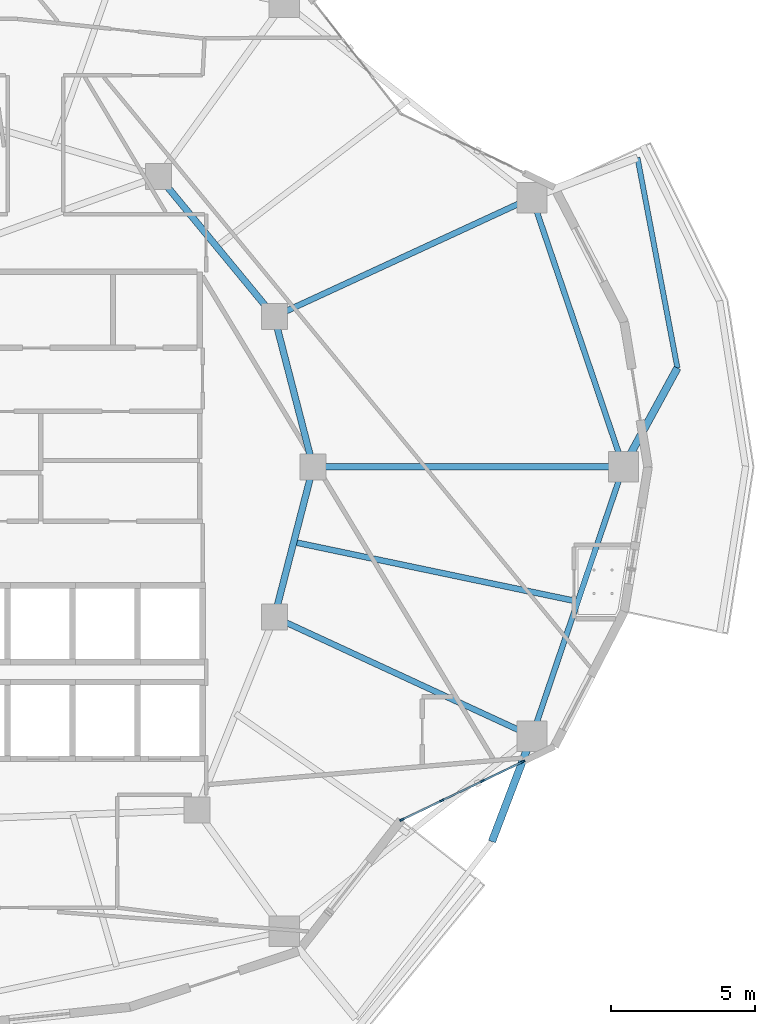
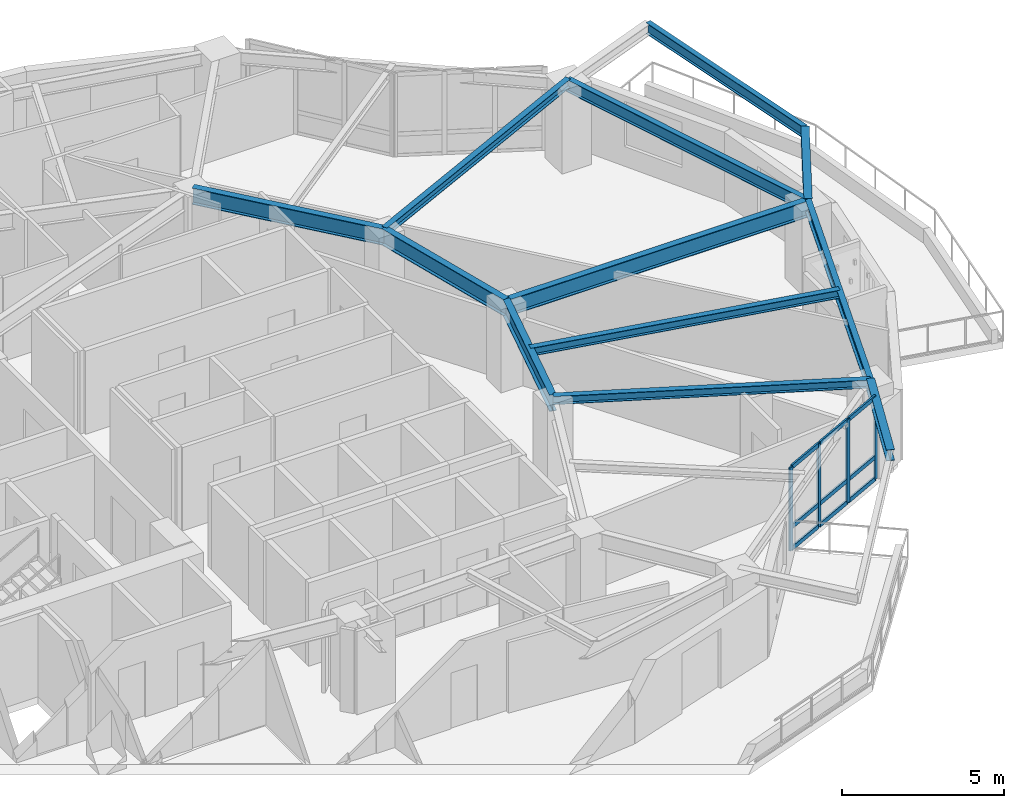
# One storey, part 2 of 18: 13 members, 12 beams, 1 element without a shape of its own.
"""IFC4 building model written with IfcOpenShell, lengths in metres."""

from ifc_helpers import new_model, si_unit, direction, frame, origin, origin_2d, place, context, subcontext, project, spatial, rectangle, i_section, extrude, material, layer, layer_set, material_profile, profile_set, type_object, element, aggregate, save


model = new_model("IFC4")

# Units and contexts
model_context = context("Model", 3, precision=1e-05, world=origin(), true_north=direction((0.0, 1.0)))
body_context = subcontext(model_context, "Body", "Model", "MODEL_VIEW")
ifc_project = project(units=[si_unit("LENGTHUNIT", "METRE"), si_unit("AREAUNIT", "SQUARE_METRE"), si_unit("VOLUMEUNIT", "CUBIC_METRE"), si_unit("PLANEANGLEUNIT", "RADIAN"), si_unit("MASSUNIT", "GRAM", prefix="KILO")], contexts=[model_context])

# Site, building, storey
site_placement = place(None, origin())
site = spatial("IfcSite", under=ifc_project, at=site_placement, CompositionType="ELEMENT")
building_placement = place(site_placement, origin())
building = spatial("IfcBuilding", under=site, at=building_placement, Name="Kolvaren Gate Tower and Convention Centre", CompositionType="ELEMENT")
storey_placement = place(building_placement, frame((0.0, 0.0, 135.89990234375)))
storey = spatial("IfcBuildingStorey", under=building, at=storey_placement, Name="L34", CompositionType="ELEMENT", Elevation=135.89990234375)

# Curtain wall, members
ifc_material_1 = material(Name="Anodized Architectural Aluminium Alloy 6063-T6", Category="aluminium")
ifc_layer = layer(ifc_material_1, 0.159912109375)
ifc_layer_set = layer_set([ifc_layer], Name="Anodized Architectural Aluminium Alloy 6063-T6")
curtain_wall_type = type_object("IfcCurtainWallType", Name="CW-HTL-UNIT", PredefinedType="NOTDEFINED", material=ifc_layer_set)
curtain_wall_placement = place(storey_placement, origin())
curtain_wall = element("IfcCurtainWall", 1, at=curtain_wall_placement, inside=storey, type_object=curtain_wall_type, Name="Tower L34 Unitised Curtain Wall CW-HTL-UNIT Bay 21", PredefinedType="NOTDEFINED")
ifc_material_profile_1 = material_profile(ifc_material_1, rectangle(XDim=0.06494140625, YDim=0.159912109375, at=origin_2d()), Name="CW-MEM-MUL-160")
ifc_profile_set_1 = profile_set([ifc_material_profile_1], Name="Anodized Architectural Aluminium Alloy 6063-T6")
member_type_1 = type_object("IfcMemberType", Name="CW-MEM-MUL-160", PredefinedType="MULLION", material=ifc_profile_set_1)
member_1_placement = place(storey_placement, frame((45.798095703125, 14.791015625, 0.0), z_axis=(0.0, 0.0, 1.0), x_axis=(-0.433070515205, 0.901360043967, 0.0)))
member_1 = element("IfcMember", 2, at=member_1_placement, type_object=member_type_1, Name="CW-03 mullion 1", PredefinedType="MULLION", context=body_context, shape_type="SweptSolid", body=[
    extrude(rectangle(XDim=0.06494140625, YDim=0.159912109375, at=origin_2d()), origin(), (0.0, 0.0, 1.0), 3.130126953125),
])
member_2_placement = place(storey_placement, frame((47.181396484375, 15.455810546875, 0.0), z_axis=(0.0, 0.0, 1.0), x_axis=(-0.433070515205, 0.901360043967, 0.0)))
member_2 = element("IfcMember", 3, at=member_2_placement, type_object=member_type_1, Name="CW-03 mullion 2", PredefinedType="MULLION", context=body_context, shape_type="SweptSolid", body=[
    extrude(rectangle(XDim=0.06494140625, YDim=0.159912109375, at=origin_2d()), origin(), (0.0, 0.0, 1.0), 3.130126953125),
])
member_3_placement = place(storey_placement, frame((48.59423828125, 16.134521484375, 0.0), z_axis=(0.0, 0.0, 1.0), x_axis=(-0.433070515205, 0.901360043967, 0.0)))
member_3 = element("IfcMember", 4, at=member_3_placement, type_object=member_type_1, Name="CW-03 mullion 3", PredefinedType="MULLION", context=body_context, shape_type="SweptSolid", body=[
    extrude(rectangle(XDim=0.06494140625, YDim=0.159912109375, at=origin_2d()), origin(), (0.0, 0.0, 1.0), 3.130126953125),
])
member_4_placement = place(storey_placement, frame((49.9775390625, 16.79931640625, 0.0), z_axis=(0.0, 0.0, 1.0), x_axis=(-0.433070515205, 0.901360043967, 0.0)))
member_4 = element("IfcMember", 5, at=member_4_placement, type_object=member_type_1, Name="CW-03 mullion 4", PredefinedType="MULLION", context=body_context, shape_type="SweptSolid", body=[
    extrude(rectangle(XDim=0.06494140625, YDim=0.159912109375, at=origin_2d()), origin(), (0.0, 0.0, 1.0), 3.130126953125),
])
ifc_material_profile_2 = material_profile(ifc_material_1, rectangle(XDim=0.06494140625, YDim=0.159912109375, at=origin_2d()), Name="CW-MEM-TRN-160")
ifc_profile_set_2 = profile_set([ifc_material_profile_2], Name="Anodized Architectural Aluminium Alloy 6063-T6")
member_type_2 = type_object("IfcMemberType", Name="CW-MEM-TRN-160", PredefinedType="USERDEFINED", material=ifc_profile_set_2)
member_5_placement = place(storey_placement, frame((45.827392578125, 14.80517578125, 0.03271484375), z_axis=(0.901359682886, 0.433071266731, 0.0), x_axis=(-0.433071266731, 0.901359682886, 0.0)))
member_5 = element("IfcMember", 6, at=member_5_placement, type_object=member_type_2, Name="CW-03 transom 1.1", ObjectType="TRANSOM", PredefinedType="USERDEFINED", context=body_context, shape_type="SweptSolid", body=[
    extrude(rectangle(XDim=0.06494140625, YDim=0.159912109375, at=origin_2d()), origin(), (0.0, 0.0, 1.0), 1.4697265625),
])
member_6_placement = place(storey_placement, frame((45.827392578125, 14.80517578125, 0.85009765625), z_axis=(0.901359682886, 0.433071266731, 0.0), x_axis=(-0.433071266731, 0.901359682886, 0.0)))
member_6 = element("IfcMember", 7, at=member_6_placement, type_object=member_type_2, Name="CW-03 transom 1.2", ObjectType="TRANSOM", PredefinedType="USERDEFINED", context=body_context, shape_type="SweptSolid", body=[
    extrude(rectangle(XDim=0.06494140625, YDim=0.159912109375, at=origin_2d()), origin(), (0.0, 0.0, 1.0), 1.4697265625),
])
member_7_placement = place(storey_placement, frame((45.827392578125, 14.80517578125, 3.09765625), z_axis=(0.901359682886, 0.433071266731, 0.0), x_axis=(-0.433071266731, 0.901359682886, 0.0)))
member_7 = element("IfcMember", 8, at=member_7_placement, type_object=member_type_2, Name="CW-03 transom 1.3", ObjectType="TRANSOM", PredefinedType="USERDEFINED", context=body_context, shape_type="SweptSolid", body=[
    extrude(rectangle(XDim=0.06494140625, YDim=0.159912109375, at=origin_2d()), origin(), (0.0, 0.0, 1.0), 1.4697265625),
])
member_8_placement = place(storey_placement, frame((47.210693359375, 15.4697265625, 0.03271484375), z_axis=(0.901368321762, 0.43305328601, 0.0), x_axis=(-0.43305328601, 0.901368321762, 0.0)))
member_8 = element("IfcMember", 9, at=member_8_placement, type_object=member_type_2, Name="CW-03 transom 2.1", ObjectType="TRANSOM", PredefinedType="USERDEFINED", context=body_context, shape_type="SweptSolid", body=[
    extrude(rectangle(XDim=0.06494140625, YDim=0.159912109375, at=origin_2d()), origin(), (0.0, 0.0, 1.0), 1.50244140625),
])
member_9_placement = place(storey_placement, frame((47.210693359375, 15.4697265625, 0.85009765625), z_axis=(0.901368321762, 0.43305328601, 0.0), x_axis=(-0.43305328601, 0.901368321762, 0.0)))
member_9 = element("IfcMember", 10, at=member_9_placement, type_object=member_type_2, Name="CW-03 transom 2.2", ObjectType="TRANSOM", PredefinedType="USERDEFINED", context=body_context, shape_type="SweptSolid", body=[
    extrude(rectangle(XDim=0.06494140625, YDim=0.159912109375, at=origin_2d()), origin(), (0.0, 0.0, 1.0), 1.50244140625),
])
member_10_placement = place(storey_placement, frame((47.210693359375, 15.4697265625, 3.09765625), z_axis=(0.901368321762, 0.43305328601, 0.0), x_axis=(-0.43305328601, 0.901368321762, 0.0)))
member_10 = element("IfcMember", 11, at=member_10_placement, type_object=member_type_2, Name="CW-03 transom 2.3", ObjectType="TRANSOM", PredefinedType="USERDEFINED", context=body_context, shape_type="SweptSolid", body=[
    extrude(rectangle(XDim=0.06494140625, YDim=0.159912109375, at=origin_2d()), origin(), (0.0, 0.0, 1.0), 1.50244140625),
])
member_11_placement = place(storey_placement, frame((48.62353515625, 16.148681640625, 0.03271484375), z_axis=(0.901359682886, 0.433071266731, 0.0), x_axis=(-0.433071266731, 0.901359682886, 0.0)))
member_11 = element("IfcMember", 12, at=member_11_placement, type_object=member_type_2, Name="CW-03 transom 3.1", ObjectType="TRANSOM", PredefinedType="USERDEFINED", context=body_context, shape_type="SweptSolid", body=[
    extrude(rectangle(XDim=0.06494140625, YDim=0.159912109375, at=origin_2d()), origin(), (0.0, 0.0, 1.0), 1.4697265625),
])
member_12_placement = place(storey_placement, frame((48.62353515625, 16.148681640625, 0.85009765625), z_axis=(0.901359682886, 0.433071266731, 0.0), x_axis=(-0.433071266731, 0.901359682886, 0.0)))
member_12 = element("IfcMember", 13, at=member_12_placement, type_object=member_type_2, Name="CW-03 transom 3.2", ObjectType="TRANSOM", PredefinedType="USERDEFINED", context=body_context, shape_type="SweptSolid", body=[
    extrude(rectangle(XDim=0.06494140625, YDim=0.159912109375, at=origin_2d()), origin(), (0.0, 0.0, 1.0), 1.4697265625),
])
member_13_placement = place(storey_placement, frame((48.62353515625, 16.148681640625, 3.09765625), z_axis=(0.901359682886, 0.433071266731, 0.0), x_axis=(-0.433071266731, 0.901359682886, 0.0)))
member_13 = element("IfcMember", 14, at=member_13_placement, type_object=member_type_2, Name="CW-03 transom 3.3", ObjectType="TRANSOM", PredefinedType="USERDEFINED", context=body_context, shape_type="SweptSolid", body=[
    extrude(rectangle(XDim=0.06494140625, YDim=0.159912109375, at=origin_2d()), origin(), (0.0, 0.0, 1.0), 1.4697265625),
])
aggregate(curtain_wall, [member_1, member_2, member_3, member_4, member_5, member_6, member_7, member_8, member_9, member_10, member_11, member_12, member_13])

# Beams
ifc_material_2 = material(Name="Structural steel ASTM A992 Grade 345 MPa", Category="steel")
ifc_material_profile_3 = material_profile(ifc_material_2, i_section(OverallWidth=0.260009765625, OverallDepth=0.419921875, WebThickness=0.013427734375, FlangeThickness=0.0224609375, at=origin_2d()), Name="W410X132")
ifc_profile_set_3 = profile_set([ifc_material_profile_3], Name="Structural steel ASTM A992 Grade 345 MPa")
beam_type_1 = type_object("IfcBeamType", Name="STR-BM-W410X132", PredefinedType="BEAM", material=ifc_profile_set_3)
beam_1_placement = place(storey_placement, frame((53.46240234375, 27.0, 2.920654296875), z_axis=(0.478878445754, 0.877881218726, 0.0), x_axis=(-0.877881218726, 0.478878445754, 0.0)))
element("IfcBeam", 15, at=beam_1_placement, inside=storey, type_object=beam_type_1, Name="Tower L35 Planted Balcony Outrigger Cantilever BC-1A", PredefinedType="BEAM", context=body_context, shape_type="SweptSolid", body=[
    extrude(i_section(OverallWidth=0.260009765625, OverallDepth=0.419921875, WebThickness=0.013427734375, FlangeThickness=0.0224609375, at=origin_2d()), origin(), (0.0, 0.0, 1.0), 3.900146484375),
])
beam_2_placement = place(storey_placement, frame((50.30029296875, 17.681396484375, 2.920654296875), z_axis=(-0.356078629863, -0.934455996479, 0.0), x_axis=(0.934455996479, -0.356078629863, 0.0)))
element("IfcBeam", 16, at=beam_2_placement, inside=storey, type_object=beam_type_1, Name="Tower L35 Planted Balcony Outrigger Cantilever BC-4B", PredefinedType="BEAM", context=body_context, shape_type="SweptSolid", body=[
    extrude(i_section(OverallWidth=0.260009765625, OverallDepth=0.419921875, WebThickness=0.013427734375, FlangeThickness=0.0224609375, at=origin_2d()), origin(), (0.0, 0.0, 1.0), 3.89990234375),
])
ifc_material_profile_4 = material_profile(ifc_material_2, i_section(OverallWidth=0.22998046875, OverallDepth=0.616943359375, WebThickness=0.01318359375, FlangeThickness=0.022216796875, at=origin_2d()), Name="W610X140")
ifc_profile_set_4 = profile_set([ifc_material_profile_4], Name="Structural steel ASTM A992 Grade 345 MPa")
beam_type_2 = type_object("IfcBeamType", Name="STR-BM-W610X140", PredefinedType="BEAM", material=ifc_profile_set_4)
beam_3_placement = place(storey_placement, frame((42.72509765625, 27.0, 2.821533203125), z_axis=(-0.250091133936, -0.968222301296, 0.0), x_axis=(0.968222301296, -0.250091133936, 0.0)))
element("IfcBeam", 17, at=beam_3_placement, inside=storey, type_object=beam_type_2, Name="Tower L34 Primary Ring Girder G-01", PredefinedType="BEAM", context=body_context, shape_type="SweptSolid", body=[
    extrude(i_section(OverallWidth=0.22998046875, OverallDepth=0.616943359375, WebThickness=0.01318359375, FlangeThickness=0.022216796875, at=origin_2d()), origin(), (0.0, 0.0, 1.0), 5.3701171875),
])
beam_4_placement = place(storey_placement, frame((41.382080078125, 32.199462890625, 2.821533203125), z_axis=(-0.635884066011, 0.771784590798, 0.0), x_axis=(-0.771784590798, -0.635884066011, 0.0)))
element("IfcBeam", 18, at=beam_4_placement, inside=storey, type_object=beam_type_2, Name="Tower L34 Primary Ring Girder G-02", PredefinedType="BEAM", context=body_context, shape_type="SweptSolid", body=[
    extrude(i_section(OverallWidth=0.22998046875, OverallDepth=0.616943359375, WebThickness=0.01318359375, FlangeThickness=0.022216796875, at=origin_2d()), origin(), (0.0, 0.0, 1.0), 6.291259765625),
])
beam_5_placement = place(storey_placement, frame((42.72509765625, 27.0, 2.821533203125), z_axis=(-0.250091133936, 0.968222301296, 0.0), x_axis=(-0.968222301296, -0.250091133936, 0.0)))
element("IfcBeam", 19, at=beam_5_placement, inside=storey, type_object=beam_type_2, Name="Tower L34 Primary Ring Girder G-12", PredefinedType="BEAM", context=body_context, shape_type="SweptSolid", body=[
    extrude(i_section(OverallWidth=0.22998046875, OverallDepth=0.616943359375, WebThickness=0.01318359375, FlangeThickness=0.022216796875, at=origin_2d()), origin(), (0.0, 0.0, 1.0), 5.3701171875),
])
beam_6_placement = place(storey_placement, frame((42.72509765625, 27.0, 2.821533203125), z_axis=(1.0, 0.0, 0.0), x_axis=(0.0, 1.0, 0.0)))
element("IfcBeam", 20, at=beam_6_placement, inside=storey, type_object=beam_type_2, Name="Tower L34 Radial Floor Girder RB-01", PredefinedType="BEAM", context=body_context, shape_type="SweptSolid", body=[
    extrude(i_section(OverallWidth=0.22998046875, OverallDepth=0.616943359375, WebThickness=0.01318359375, FlangeThickness=0.022216796875, at=origin_2d()), origin(), (0.0, 0.0, 1.0), 10.7373046875),
])
ifc_material_profile_5 = material_profile(ifc_material_2, i_section(OverallWidth=0.205078125, OverallDepth=0.31005859375, WebThickness=0.009521484375, FlangeThickness=0.016357421875, at=origin_2d()), Name="W310X74")
ifc_profile_set_5 = profile_set([ifc_material_profile_5], Name="Structural steel ASTM A992 Grade 345 MPa")
beam_type_3 = type_object("IfcBeamType", Name="STR-JS-W310X74", PredefinedType="JOIST", material=ifc_profile_set_5)
for number, where, z_axis, x_axis, name in (
    (21, (41.382080078125, 32.199462890625, 2.97509765625), (0.907841510795, 0.419313476146, 0.0), (-0.419313476146, 0.907841510795, 0.0), "Tower L34 Radial Floor Girder RB-02"),
    (22, (41.382080078125, 21.800537109375, 2.97509765625), (0.907841510795, -0.419313476146, 0.0), (0.419313476146, 0.907841510795, 0.0), "Tower L34 Radial Floor Girder RB-12"),
):
    element("IfcBeam", number, at=place(storey_placement, frame(where, z_axis=z_axis, x_axis=x_axis)), inside=storey, type_object=beam_type_3, Name=name, PredefinedType="JOIST", context=body_context, shape_type="SweptSolid", body=[
        extrude(i_section(OverallWidth=0.205078125, OverallDepth=0.31005859375, WebThickness=0.009521484375, FlangeThickness=0.016357421875, at=origin_2d()), origin(), (0.0, 0.0, 1.0), 9.823486328125),
    ])
beam_7_placement = place(storey_placement, frame((42.0537109375, 24.400146484375, 2.97509765625), z_axis=(0.978743091795, -0.205090127175, 0.0), x_axis=(0.205090127175, 0.978743091795, 0.0)))
element("IfcBeam", 23, at=beam_7_placement, inside=storey, type_object=beam_type_3, Name="Tower L34 Secondary Composite Floor Joist J-12.1", PredefinedType="JOIST", context=body_context, shape_type="SweptSolid", body=[
    extrude(i_section(OverallWidth=0.205078125, OverallDepth=0.31005859375, WebThickness=0.009521484375, FlangeThickness=0.016357421875, at=origin_2d()), origin(), (0.0, 0.0, 1.0), 10.041015625),
])
ifc_material_profile_6 = material_profile(ifc_material_2, i_section(OverallWidth=0.180908203125, OverallDepth=0.4169921875, WebThickness=0.010986328125, FlangeThickness=0.018310546875, at=origin_2d()), Name="W410X85")
ifc_profile_set_6 = profile_set([ifc_material_profile_6], Name="Structural steel ASTM A992 Grade 345 MPa")
beam_type_4 = type_object("IfcBeamType", Name="STR-SP-W410X85", PredefinedType="SPANDREL", material=ifc_profile_set_6)
beam_8_placement = place(storey_placement, frame((55.330078125, 30.423828125, 2.922119140625), z_axis=(-0.186707724087, 0.982415505663, 0.0), x_axis=(-0.982415505663, -0.186707724087, 0.0)))
element("IfcBeam", 24, at=beam_8_placement, inside=storey, type_object=beam_type_4, Name="Tower L35 Planted Balcony Header Tie Beam BT-1", PredefinedType="SPANDREL", context=body_context, shape_type="SweptSolid", body=[
    extrude(i_section(OverallWidth=0.180908203125, OverallDepth=0.4169921875, WebThickness=0.010986328125, FlangeThickness=0.018310546875, at=origin_2d()), origin(), (0.0, 0.0, 1.0), 7.40771484375),
])
ifc_material_profile_7 = material_profile(ifc_material_2, i_section(OverallWidth=0.194091796875, OverallDepth=0.468994140625, WebThickness=0.0126953125, FlangeThickness=0.0205078125, at=origin_2d()), Name="W460X106")
ifc_profile_set_7 = profile_set([ifc_material_profile_7], Name="Structural steel ASTM A992 Grade 345 MPa")
beam_type_5 = type_object("IfcBeamType", Name="STR-SP-W460X106", PredefinedType="SPANDREL", material=ifc_profile_set_7)
for number, where, z_axis, x_axis, name in (
    (25, (53.46240234375, 27.0, 2.8955078125), (-0.321336471485, 0.946965084939, 0.0), (-0.946965084939, -0.321336471485, 0.0), "Tower L34 Perimeter Spandrel Beam SP-01"),
    (26, (50.30029296875, 17.681396484375, 2.8955078125), (0.321336471485, 0.946965084939, 0.0), (-0.946965084939, 0.321336471485, 0.0), "Tower L34 Perimeter Spandrel Beam SP-12"),
):
    element("IfcBeam", number, at=place(storey_placement, frame(where, z_axis=z_axis, x_axis=x_axis)), inside=storey, type_object=beam_type_5, Name=name, PredefinedType="SPANDREL", context=body_context, shape_type="SweptSolid", body=[
        extrude(i_section(OverallWidth=0.194091796875, OverallDepth=0.468994140625, WebThickness=0.0126953125, FlangeThickness=0.0205078125, at=origin_2d()), origin(), (0.0, 0.0, 1.0), 9.840576171875),
    ])

save(model, "model.ifc")
